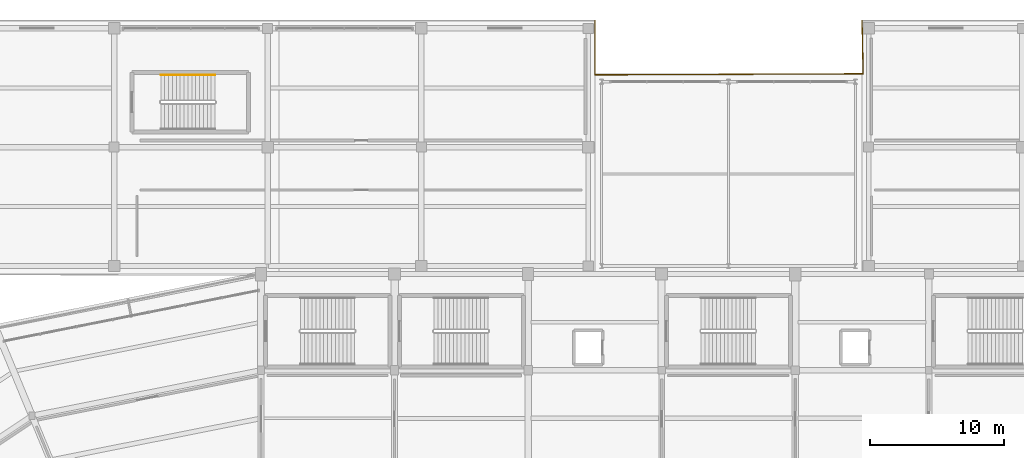
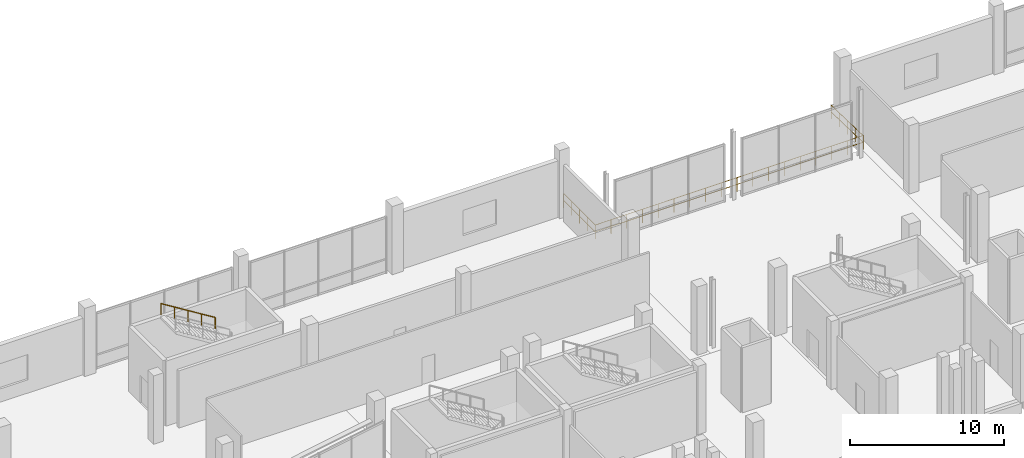
# One storey, part 112 of 114: 4 railings.
"""IFC4 building model written with IfcOpenShell, lengths in metres."""

from ifc_helpers import new_model, si_unit, direction, frame, origin, origin_2d, place, context, subcontext, project, spatial, circle, extrude, material, layer, layer_set, type_object, element, save


model = new_model("IFC4")

# Units and contexts
model_context = context("Model", 3, precision=1e-05, world=origin(), true_north=direction((0.0, 1.0)))
body_context = subcontext(model_context, "Body", "Model", "MODEL_VIEW")
ifc_project = project(units=[si_unit("LENGTHUNIT", "METRE"), si_unit("AREAUNIT", "SQUARE_METRE"), si_unit("VOLUMEUNIT", "CUBIC_METRE"), si_unit("PLANEANGLEUNIT", "RADIAN"), si_unit("MASSUNIT", "GRAM", prefix="KILO")], contexts=[model_context])

# Site, building, storey
site_placement = place(None, origin())
site = spatial("IfcSite", under=ifc_project, at=site_placement, CompositionType="ELEMENT")
building_placement = place(site_placement, origin())
building = spatial("IfcBuilding", under=site, at=building_placement, Name="Candeia Ridge Stadium", CompositionType="ELEMENT")
storey_placement = place(building_placement, frame((0.0, 0.0, 5.39990234375)))
storey = spatial("IfcBuildingStorey", under=building, at=storey_placement, Name="L01", CompositionType="ELEMENT", Elevation=5.39990234375)

# Railings
ifc_material_1 = material(Name="Galvanized Powder-Coated Steel", Category="steel")
ifc_layer_1 = layer(ifc_material_1, 0.074951171875, Name="Galvanized Powder-Coated Steel", Category="steel")
ifc_layer_set_1 = layer_set([ifc_layer_1], Name="Galvanized Powder-Coated Steel")
railing_type_1 = type_object("IfcRailingType", Name="Spectator Bowl Front Guardrail 1120", PredefinedType="GUARDRAIL", material=ifc_layer_set_1)
railing_1_placement = place(storey_placement, frame((96.0, 166.0, 0.0)))
element("IfcRailing", 1, at=railing_1_placement, inside=storey, type_object=railing_type_1, Name="Deck edge safety guardrail GR-DE-L01-0005", PredefinedType="GUARDRAIL", context=body_context, shape_type="SweptSolid", body=[
    extrude(circle(Radius=0.02392578125, at=origin_2d()), frame((0.0, 0.0, 1.09619140625), z_axis=(0.0, -1.0, 0.0), x_axis=(1.0, 0.0, 0.0)), (0.0, 0.0, 1.0), 4.080078125),
    extrude(circle(Radius=0.02392578125, at=origin_2d()), frame((0.0, 0.0, 0.56005859375), z_axis=(0.0, -1.0, 0.0), x_axis=(1.0, 0.0, 0.0)), (0.0, 0.0, 1.0), 4.080078125),
    extrude(circle(Radius=0.02099609375, at=origin_2d()), origin(), (0.0, 0.0, 1.0), 1.072021484375),
    extrude(circle(Radius=0.02099609375, at=origin_2d()), frame((0.0, -1.02001953125, 0.0)), (0.0, 0.0, 1.0), 1.072021484375),
    extrude(circle(Radius=0.02099609375, at=origin_2d()), frame((0.0, -2.0400390625, 0.0)), (0.0, 0.0, 1.0), 1.072021484375),
    extrude(circle(Radius=0.02099609375, at=origin_2d()), frame((0.0, -3.06005859375, 0.0)), (0.0, 0.0, 1.0), 1.072021484375),
    extrude(circle(Radius=0.02099609375, at=origin_2d()), frame((0.0, -4.080078125, 0.0)), (0.0, 0.0, 1.0), 1.072021484375),
])
railing_2_placement = place(storey_placement, frame((96.0, 161.919921875, 0.0)))
element("IfcRailing", 2, at=railing_2_placement, inside=storey, type_object=railing_type_1, Name="Deck edge safety guardrail GR-DE-L01-0006", PredefinedType="GUARDRAIL", context=body_context, shape_type="SweptSolid", body=[
    extrude(circle(Radius=0.02392578125, at=origin_2d()), frame((0.0, 0.0, 1.09619140625), z_axis=(0.999992048266, 0.003987907205, 0.0), x_axis=(-0.003987907205, 0.999992048266, 0.0)), (0.0, 0.0, 1.0), 20.080322265625),
    extrude(circle(Radius=0.02392578125, at=origin_2d()), frame((0.0, 0.0, 0.56005859375), z_axis=(0.999992048266, 0.003987907205, 0.0), x_axis=(-0.003987907205, 0.999992048266, 0.0)), (0.0, 0.0, 1.0), 20.080322265625),
    extrude(circle(Radius=0.02099609375, at=origin_2d()), origin(), (0.0, 0.0, 1.0), 1.072021484375),
    extrude(circle(Radius=0.02099609375, at=origin_2d()), frame((1.18115234375, 0.004638671875, 0.0)), (0.0, 0.0, 1.0), 1.072021484375),
    extrude(circle(Radius=0.02099609375, at=origin_2d()), frame((2.3623046875, 0.009521484375, 0.0)), (0.0, 0.0, 1.0), 1.072021484375),
    extrude(circle(Radius=0.02099609375, at=origin_2d()), frame((3.54345703125, 0.01416015625, 0.0)), (0.0, 0.0, 1.0), 1.072021484375),
    extrude(circle(Radius=0.02099609375, at=origin_2d()), frame((4.724609375, 0.018798828125, 0.0)), (0.0, 0.0, 1.0), 1.072021484375),
    extrude(circle(Radius=0.02099609375, at=origin_2d()), frame((5.906005859375, 0.0234375, 0.0)), (0.0, 0.0, 1.0), 1.072021484375),
    extrude(circle(Radius=0.02099609375, at=origin_2d()), frame((7.087158203125, 0.0283203125, 0.0)), (0.0, 0.0, 1.0), 1.072021484375),
    extrude(circle(Radius=0.02099609375, at=origin_2d()), frame((8.268310546875, 0.032958984375, 0.0)), (0.0, 0.0, 1.0), 1.072021484375),
    extrude(circle(Radius=0.02099609375, at=origin_2d()), frame((9.449462890625, 0.03759765625, 0.0)), (0.0, 0.0, 1.0), 1.072021484375),
    extrude(circle(Radius=0.02099609375, at=origin_2d()), frame((10.630615234375, 0.04248046875, 0.0)), (0.0, 0.0, 1.0), 1.072021484375),
    extrude(circle(Radius=0.02099609375, at=origin_2d()), frame((11.811767578125, 0.047119140625, 0.0)), (0.0, 0.0, 1.0), 1.072021484375),
    extrude(circle(Radius=0.02099609375, at=origin_2d()), frame((12.992919921875, 0.0517578125, 0.0)), (0.0, 0.0, 1.0), 1.072021484375),
    extrude(circle(Radius=0.02099609375, at=origin_2d()), frame((14.174072265625, 0.056640625, 0.0)), (0.0, 0.0, 1.0), 1.072021484375),
    extrude(circle(Radius=0.02099609375, at=origin_2d()), frame((15.35546875, 0.061279296875, 0.0)), (0.0, 0.0, 1.0), 1.072021484375),
    extrude(circle(Radius=0.02099609375, at=origin_2d()), frame((16.53662109375, 0.06591796875, 0.0)), (0.0, 0.0, 1.0), 1.072021484375),
    extrude(circle(Radius=0.02099609375, at=origin_2d()), frame((17.7177734375, 0.070556640625, 0.0)), (0.0, 0.0, 1.0), 1.072021484375),
    extrude(circle(Radius=0.02099609375, at=origin_2d()), frame((18.89892578125, 0.075439453125, 0.0)), (0.0, 0.0, 1.0), 1.072021484375),
    extrude(circle(Radius=0.02099609375, at=origin_2d()), frame((20.080078125, 0.080078125, 0.0)), (0.0, 0.0, 1.0), 1.072021484375),
])
railing_3_placement = place(storey_placement, frame((116.080078125, 162.0, 0.0)))
element("IfcRailing", 3, at=railing_3_placement, inside=storey, type_object=railing_type_1, Name="Deck edge safety guardrail GR-DE-L01-0007", PredefinedType="GUARDRAIL", context=body_context, shape_type="SweptSolid", body=[
    extrude(circle(Radius=0.02392578125, at=origin_2d()), frame((0.0, 0.0, 1.09619140625), z_axis=(-0.020015520725, 0.999799669399, 0.0), x_axis=(-0.999799669399, -0.020015520725, 0.0)), (0.0, 0.0, 1.0), 4.000732421875),
    extrude(circle(Radius=0.02392578125, at=origin_2d()), frame((0.0, 0.0, 0.56005859375), z_axis=(-0.020015520725, 0.999799669399, 0.0), x_axis=(-0.999799669399, -0.020015520725, 0.0)), (0.0, 0.0, 1.0), 4.000732421875),
    extrude(circle(Radius=0.02099609375, at=origin_2d()), origin(), (0.0, 0.0, 1.0), 1.072021484375),
    extrude(circle(Radius=0.02099609375, at=origin_2d()), frame((-0.02001953125, 1.0, 0.0)), (0.0, 0.0, 1.0), 1.072021484375),
    extrude(circle(Radius=0.02099609375, at=origin_2d()), frame((-0.0400390625, 2.0, 0.0)), (0.0, 0.0, 1.0), 1.072021484375),
    extrude(circle(Radius=0.02099609375, at=origin_2d()), frame((-0.06005859375, 3.0, 0.0)), (0.0, 0.0, 1.0), 1.072021484375),
    extrude(circle(Radius=0.02099609375, at=origin_2d()), frame((-0.080078125, 4.0, 0.0)), (0.0, 0.0, 1.0), 1.072021484375),
])
ifc_material_2 = material(Name="Brushed Stainless Steel", Category="steel")
ifc_layer_2 = layer(ifc_material_2, 0.048095703125, Name="Brushed Stainless Steel", Category="steel")
ifc_layer_set_2 = layer_set([ifc_layer_2], Name="Brushed Stainless Steel")
railing_type_2 = type_object("IfcRailingType", Name="Stair Wall & Flight Handrail 900", PredefinedType="HANDRAIL", material=ifc_layer_set_2)
railing_4_placement = place(storey_placement, frame((67.56005859375, 161.89990234375, 2.880126953125)))
element("IfcRailing", 4, at=railing_4_placement, inside=storey, type_object=railing_type_2, Name="L01 ST15 stair handrail 2", PredefinedType="HANDRAIL", context=body_context, shape_type="SweptSolid", body=[
    extrude(circle(Radius=0.02392578125, at=origin_2d()), frame((0.0, 0.0, 0.8759765625), z_axis=(-0.849641744969, 0.0, 0.527360318194), x_axis=(0.0, -1.0, 0.0)), (0.0, 0.0, 1.0), 4.778564453125),
    extrude(circle(Radius=0.02099609375, at=origin_2d()), origin(), (0.0, 0.0, 1.0), 0.851806640625),
    extrude(circle(Radius=0.02099609375, at=origin_2d()), frame((-1.01513671875, 0.0, 0.6298828125)), (0.0, 0.0, 1.0), 0.851806640625),
    extrude(circle(Radius=0.02099609375, at=origin_2d()), frame((-2.030029296875, 0.0, 1.260009765625)), (0.0, 0.0, 1.0), 0.851806640625),
    extrude(circle(Radius=0.02099609375, at=origin_2d()), frame((-3.044921875, 0.0, 1.89013671875)), (0.0, 0.0, 1.0), 0.851806640625),
    extrude(circle(Radius=0.02099609375, at=origin_2d()), frame((-4.06005859375, 0.0, 2.52001953125)), (0.0, 0.0, 1.0), 0.851806640625),
])

save(model, "model.ifc")
